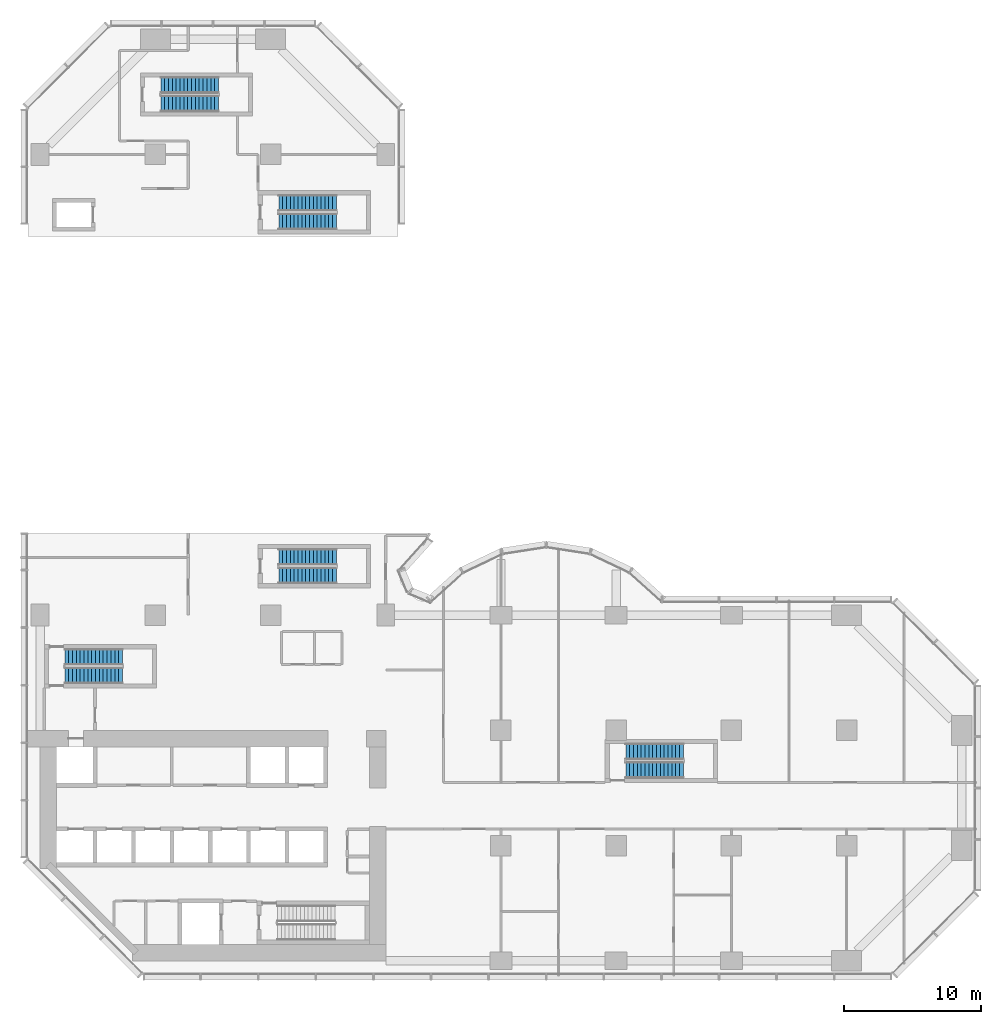
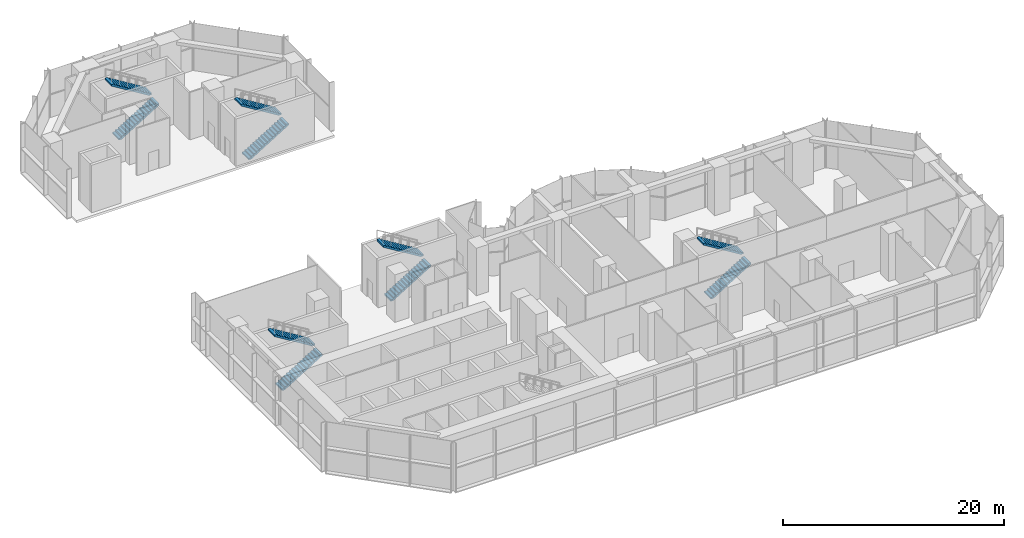
# One storey, part 13 of 16: 10 stair flights, 5 elements without a shape of their own.
"""IFC4 building model written with IfcOpenShell, lengths in metres."""

from ifc_helpers import new_model, si_unit, direction, frame, origin, place, context, subcontext, project, spatial, polyline, outline, extrude, material, type_object, element, aggregate, save


model = new_model("IFC4")

# Units and contexts
model_context = context("Model", 3, precision=1e-05, world=origin(), true_north=direction((0.0, 1.0)))
body_context = subcontext(model_context, "Body", "Model", "MODEL_VIEW")
ifc_project = project(units=[si_unit("LENGTHUNIT", "METRE"), si_unit("AREAUNIT", "SQUARE_METRE"), si_unit("VOLUMEUNIT", "CUBIC_METRE"), si_unit("PLANEANGLEUNIT", "RADIAN"), si_unit("MASSUNIT", "GRAM", prefix="KILO")], contexts=[model_context])

# Site, building, storey
site_placement = place(None, origin())
site = spatial("IfcSite", under=ifc_project, at=site_placement, CompositionType="ELEMENT")
building_placement = place(site_placement, origin())
building = spatial("IfcBuilding", under=site, at=building_placement, Name="Brevane Broadcast Tower", CompositionType="ELEMENT")
storey_placement = place(building_placement, frame((0.0, 0.0, 7.0)))
storey = spatial("IfcBuildingStorey", under=building, at=storey_placement, Name="L01", CompositionType="ELEMENT", Elevation=7.0)

# Stair, stair flights
ifc_material = material(Name="Concrete C50/60", Category="concrete")
stair_type = type_object("IfcStairType", Name="Exit stair 32 risers", PredefinedType="HALF_TURN_STAIR", material=ifc_material)
stair_1_placement = place(storey_placement, origin())
stair_1 = element("IfcStair", 1, at=stair_1_placement, inside=storey, type_object=stair_type, Name="L01 Exit stair ST-1", PredefinedType="HALF_TURN_STAIR")
stair_flight_type = type_object("IfcStairFlightType", Name="Exit stair flight 32 risers", PredefinedType="STRAIGHT", material=ifc_material)
stair_flight_1_placement = place(storey_placement, frame((1.800048828125, 20.800048828125, 0.0), z_axis=(0.0, 0.0, 1.0), x_axis=(1.0, 0.0, 0.0)))
stair_flight_1 = element("IfcStairFlight", 2, at=stair_flight_1_placement, type_object=stair_flight_type, Name="ST-1 flight 1", NumberOfRisers=16, NumberOfTreads=15, PredefinedType="STRAIGHT", RiserHeight=0.171875, TreadLength=0.28, context=body_context, shape_type="SweptSolid", body=[
    extrude(outline(polyline([(0.0, 0.0), (0.0, 0.171875), (0.280029296875, 0.171875), (0.280029296875, 0.34375), (0.56005859375, 0.34375), (0.56005859375, 0.515625), (0.840087890625, 0.515625), (0.840087890625, 0.6875), (1.1201171875, 0.6875), (1.1201171875, 0.859375), (1.39990234375, 0.859375), (1.39990234375, 1.03125), (1.679931640625, 1.03125), (1.679931640625, 1.203125), (1.9599609375, 1.203125), (1.9599609375, 1.375), (2.239990234375, 1.375), (2.239990234375, 1.546875), (2.52001953125, 1.546875), (2.52001953125, 1.71875), (2.800048828125, 1.71875), (2.800048828125, 1.890625), (3.080078125, 1.890625), (3.080078125, 2.0625), (3.360107421875, 2.0625), (3.360107421875, 2.234375), (3.639892578125, 2.234375), (3.639892578125, 2.40625), (3.919921875, 2.40625), (3.919921875, 2.578125), (4.199951171875, 2.578125), (4.199951171875, 2.75), (4.199951171875, 2.40234375), (0.28662109375, 0.0), (0.0, 0.0)])), frame((0.0, 0.60009765625, 0.0), z_axis=(0.0, -1.0, 0.0), x_axis=(1.0, 0.0, 0.0)), (0.0, 0.0, 1.0), 1.199951171875),
])
stair_flight_2_placement = place(storey_placement, frame((6.0, 22.14990234375, 2.75), z_axis=(0.0, 0.0, 1.0), x_axis=(-1.0, 0.0, 0.0)))
stair_flight_2 = element("IfcStairFlight", 3, at=stair_flight_2_placement, type_object=stair_flight_type, Name="ST-1 flight 2", NumberOfRisers=16, NumberOfTreads=15, PredefinedType="STRAIGHT", RiserHeight=0.171875, TreadLength=0.28, context=body_context, shape_type="SweptSolid", body=[
    extrude(outline(polyline([(0.0, 0.0), (0.0, 0.171875), (0.280029296875, 0.171875), (0.280029296875, 0.34375), (0.56005859375, 0.34375), (0.56005859375, 0.515625), (0.840087890625, 0.515625), (0.840087890625, 0.6875), (1.1201171875, 0.6875), (1.1201171875, 0.859375), (1.39990234375, 0.859375), (1.39990234375, 1.03125), (1.679931640625, 1.03125), (1.679931640625, 1.203125), (1.9599609375, 1.203125), (1.9599609375, 1.375), (2.239990234375, 1.375), (2.239990234375, 1.546875), (2.52001953125, 1.546875), (2.52001953125, 1.71875), (2.800048828125, 1.71875), (2.800048828125, 1.890625), (3.080078125, 1.890625), (3.080078125, 2.0625), (3.360107421875, 2.0625), (3.360107421875, 2.234375), (3.639892578125, 2.234375), (3.639892578125, 2.40625), (3.919921875, 2.40625), (3.919921875, 2.578125), (4.199951171875, 2.578125), (4.199951171875, 2.75), (4.199951171875, 2.40234375), (0.28662109375, 0.0), (0.0, 0.0)])), frame((0.0, 0.60009765625, 0.0), z_axis=(0.0, -1.0, 0.0), x_axis=(1.0, 0.0, 0.0)), (0.0, 0.0, 1.0), 1.199951171875),
])
aggregate(stair_1, [stair_flight_1, stair_flight_2])

stair_2_placement = place(storey_placement, origin())
stair_2 = element("IfcStair", 4, at=stair_2_placement, inside=storey, type_object=stair_type, Name="L01 Exit stair ST-3", PredefinedType="HALF_TURN_STAIR")
stair_flight_3_placement = place(storey_placement, frame((17.39990234375, 28.10009765625, 0.0), z_axis=(0.0, 0.0, 1.0), x_axis=(1.0, 0.0, 0.0)))
stair_flight_3 = element("IfcStairFlight", 5, at=stair_flight_3_placement, type_object=stair_flight_type, Name="ST-3 flight 1", NumberOfRisers=16, NumberOfTreads=15, PredefinedType="STRAIGHT", RiserHeight=0.171875, TreadLength=0.28, context=body_context, shape_type="SweptSolid", body=[
    extrude(outline(polyline([(0.0, 0.0), (0.0, 0.171875), (0.280029296875, 0.171875), (0.280029296875, 0.34375), (0.56005859375, 0.34375), (0.56005859375, 0.515625), (0.840087890625, 0.515625), (0.840087890625, 0.6875), (1.1201171875, 0.6875), (1.1201171875, 0.859375), (1.39990234375, 0.859375), (1.39990234375, 1.03125), (1.679931640625, 1.03125), (1.679931640625, 1.203125), (1.9599609375, 1.203125), (1.9599609375, 1.375), (2.239990234375, 1.375), (2.239990234375, 1.546875), (2.52001953125, 1.546875), (2.52001953125, 1.71875), (2.800048828125, 1.71875), (2.800048828125, 1.890625), (3.080078125, 1.890625), (3.080078125, 2.0625), (3.360107421875, 2.0625), (3.360107421875, 2.234375), (3.639892578125, 2.234375), (3.639892578125, 2.40625), (3.919921875, 2.40625), (3.919921875, 2.578125), (4.199951171875, 2.578125), (4.199951171875, 2.75), (4.199951171875, 2.40234375), (0.28662109375, 0.0), (0.0, 0.0)])), frame((0.0, 0.60009765625, 0.0), z_axis=(0.0, -1.0, 0.0), x_axis=(1.0, 0.0, 0.0)), (0.0, 0.0, 1.0), 1.199951171875),
])
stair_flight_4_placement = place(storey_placement, frame((21.60009765625, 29.449951171875, 2.75), z_axis=(0.0, 0.0, 1.0), x_axis=(-1.0, 0.0, 0.0)))
stair_flight_4 = element("IfcStairFlight", 6, at=stair_flight_4_placement, type_object=stair_flight_type, Name="ST-3 flight 2", NumberOfRisers=16, NumberOfTreads=15, PredefinedType="STRAIGHT", RiserHeight=0.171875, TreadLength=0.28, context=body_context, shape_type="SweptSolid", body=[
    extrude(outline(polyline([(0.0, 0.0), (0.0, 0.171875), (0.280029296875, 0.171875), (0.280029296875, 0.34375), (0.56005859375, 0.34375), (0.56005859375, 0.515625), (0.840087890625, 0.515625), (0.840087890625, 0.6875), (1.1201171875, 0.6875), (1.1201171875, 0.859375), (1.39990234375, 0.859375), (1.39990234375, 1.03125), (1.679931640625, 1.03125), (1.679931640625, 1.203125), (1.9599609375, 1.203125), (1.9599609375, 1.375), (2.239990234375, 1.375), (2.239990234375, 1.546875), (2.52001953125, 1.546875), (2.52001953125, 1.71875), (2.800048828125, 1.71875), (2.800048828125, 1.890625), (3.080078125, 1.890625), (3.080078125, 2.0625), (3.360107421875, 2.0625), (3.360107421875, 2.234375), (3.639892578125, 2.234375), (3.639892578125, 2.40625), (3.919921875, 2.40625), (3.919921875, 2.578125), (4.199951171875, 2.578125), (4.199951171875, 2.75), (4.199951171875, 2.40234375), (0.28662109375, 0.0), (0.0, 0.0)])), frame((0.0, 0.60009765625, 0.0), z_axis=(0.0, -1.0, 0.0), x_axis=(1.0, 0.0, 0.0)), (0.0, 0.0, 1.0), 1.199951171875),
])
aggregate(stair_2, [stair_flight_3, stair_flight_4])

stair_3_placement = place(storey_placement, origin())
stair_3 = element("IfcStair", 7, at=stair_3_placement, inside=storey, type_object=stair_type, Name="L01 Exit stair ST-4", PredefinedType="HALF_TURN_STAIR")
stair_flight_5_placement = place(storey_placement, frame((42.699951171875, 13.89990234375, 0.0), z_axis=(0.0, 0.0, 1.0), x_axis=(1.0, 0.0, 0.0)))
stair_flight_5 = element("IfcStairFlight", 8, at=stair_flight_5_placement, type_object=stair_flight_type, Name="ST-4 flight 1", NumberOfRisers=16, NumberOfTreads=15, PredefinedType="STRAIGHT", RiserHeight=0.171875, TreadLength=0.28, context=body_context, shape_type="SweptSolid", body=[
    extrude(outline(polyline([(0.0, 0.0), (0.0, 0.171875), (0.280029296875, 0.171875), (0.280029296875, 0.34375), (0.56005859375, 0.34375), (0.56005859375, 0.515625), (0.840087890625, 0.515625), (0.840087890625, 0.6875), (1.1201171875, 0.6875), (1.1201171875, 0.859375), (1.39990234375, 0.859375), (1.39990234375, 1.03125), (1.679931640625, 1.03125), (1.679931640625, 1.203125), (1.9599609375, 1.203125), (1.9599609375, 1.375), (2.239990234375, 1.375), (2.239990234375, 1.546875), (2.52001953125, 1.546875), (2.52001953125, 1.71875), (2.800048828125, 1.71875), (2.800048828125, 1.890625), (3.080078125, 1.890625), (3.080078125, 2.0625), (3.360107421875, 2.0625), (3.360107421875, 2.234375), (3.639892578125, 2.234375), (3.639892578125, 2.40625), (3.919921875, 2.40625), (3.919921875, 2.578125), (4.199951171875, 2.578125), (4.199951171875, 2.75), (4.199951171875, 2.40234375), (0.28662109375, 0.0), (0.0, 0.0)])), frame((0.0, 0.60009765625, 0.0), z_axis=(0.0, -1.0, 0.0), x_axis=(1.0, 0.0, 0.0)), (0.0, 0.0, 1.0), 1.199951171875),
])
stair_flight_6_placement = place(storey_placement, frame((46.89990234375, 15.25, 2.75), z_axis=(0.0, 0.0, 1.0), x_axis=(-1.0, 0.0, 0.0)))
stair_flight_6 = element("IfcStairFlight", 9, at=stair_flight_6_placement, type_object=stair_flight_type, Name="ST-4 flight 2", NumberOfRisers=16, NumberOfTreads=15, PredefinedType="STRAIGHT", RiserHeight=0.171875, TreadLength=0.28, context=body_context, shape_type="SweptSolid", body=[
    extrude(outline(polyline([(0.0, 0.0), (0.0, 0.171875), (0.280029296875, 0.171875), (0.280029296875, 0.34375), (0.56005859375, 0.34375), (0.56005859375, 0.515625), (0.840087890625, 0.515625), (0.840087890625, 0.6875), (1.1201171875, 0.6875), (1.1201171875, 0.859375), (1.39990234375, 0.859375), (1.39990234375, 1.03125), (1.679931640625, 1.03125), (1.679931640625, 1.203125), (1.9599609375, 1.203125), (1.9599609375, 1.375), (2.239990234375, 1.375), (2.239990234375, 1.546875), (2.52001953125, 1.546875), (2.52001953125, 1.71875), (2.800048828125, 1.71875), (2.800048828125, 1.890625), (3.080078125, 1.890625), (3.080078125, 2.0625), (3.360107421875, 2.0625), (3.360107421875, 2.234375), (3.639892578125, 2.234375), (3.639892578125, 2.40625), (3.919921875, 2.40625), (3.919921875, 2.578125), (4.199951171875, 2.578125), (4.199951171875, 2.75), (4.199951171875, 2.40234375), (0.28662109375, 0.0), (0.0, 0.0)])), frame((0.0, 0.60009765625, 0.0), z_axis=(0.0, -1.0, 0.0), x_axis=(1.0, 0.0, 0.0)), (0.0, 0.0, 1.0), 1.199951171875),
])
aggregate(stair_3, [stair_flight_5, stair_flight_6])

stair_4_placement = place(storey_placement, origin())
stair_4 = element("IfcStair", 10, at=stair_4_placement, inside=storey, type_object=stair_type, Name="L01 Exit stair ST-5", PredefinedType="HALF_TURN_STAIR")
stair_flight_7_placement = place(storey_placement, frame((17.39990234375, 53.89990234375, 0.0), z_axis=(0.0, 0.0, 1.0), x_axis=(1.0, 0.0, 0.0)))
stair_flight_7 = element("IfcStairFlight", 11, at=stair_flight_7_placement, type_object=stair_flight_type, Name="ST-5 flight 1", NumberOfRisers=16, NumberOfTreads=15, PredefinedType="STRAIGHT", RiserHeight=0.171875, TreadLength=0.28, context=body_context, shape_type="SweptSolid", body=[
    extrude(outline(polyline([(0.0, 0.0), (0.0, 0.171875), (0.280029296875, 0.171875), (0.280029296875, 0.34375), (0.56005859375, 0.34375), (0.56005859375, 0.515625), (0.840087890625, 0.515625), (0.840087890625, 0.6875), (1.1201171875, 0.6875), (1.1201171875, 0.859375), (1.39990234375, 0.859375), (1.39990234375, 1.03125), (1.679931640625, 1.03125), (1.679931640625, 1.203125), (1.9599609375, 1.203125), (1.9599609375, 1.375), (2.239990234375, 1.375), (2.239990234375, 1.546875), (2.52001953125, 1.546875), (2.52001953125, 1.71875), (2.800048828125, 1.71875), (2.800048828125, 1.890625), (3.080078125, 1.890625), (3.080078125, 2.0625), (3.360107421875, 2.0625), (3.360107421875, 2.234375), (3.639892578125, 2.234375), (3.639892578125, 2.40625), (3.919921875, 2.40625), (3.919921875, 2.578125), (4.199951171875, 2.578125), (4.199951171875, 2.75), (4.199951171875, 2.40234375), (0.28662109375, 0.0), (0.0, 0.0)])), frame((0.0, 0.60009765625, 0.0), z_axis=(0.0, -1.0, 0.0), x_axis=(1.0, 0.0, 0.0)), (0.0, 0.0, 1.0), 1.199951171875),
])
stair_flight_8_placement = place(storey_placement, frame((21.60009765625, 55.25, 2.75), z_axis=(0.0, 0.0, 1.0), x_axis=(-1.0, 0.0, 0.0)))
stair_flight_8 = element("IfcStairFlight", 12, at=stair_flight_8_placement, type_object=stair_flight_type, Name="ST-5 flight 2", NumberOfRisers=16, NumberOfTreads=15, PredefinedType="STRAIGHT", RiserHeight=0.171875, TreadLength=0.28, context=body_context, shape_type="SweptSolid", body=[
    extrude(outline(polyline([(0.0, 0.0), (0.0, 0.171875), (0.280029296875, 0.171875), (0.280029296875, 0.34375), (0.56005859375, 0.34375), (0.56005859375, 0.515625), (0.840087890625, 0.515625), (0.840087890625, 0.6875), (1.1201171875, 0.6875), (1.1201171875, 0.859375), (1.39990234375, 0.859375), (1.39990234375, 1.03125), (1.679931640625, 1.03125), (1.679931640625, 1.203125), (1.9599609375, 1.203125), (1.9599609375, 1.375), (2.239990234375, 1.375), (2.239990234375, 1.546875), (2.52001953125, 1.546875), (2.52001953125, 1.71875), (2.800048828125, 1.71875), (2.800048828125, 1.890625), (3.080078125, 1.890625), (3.080078125, 2.0625), (3.360107421875, 2.0625), (3.360107421875, 2.234375), (3.639892578125, 2.234375), (3.639892578125, 2.40625), (3.919921875, 2.40625), (3.919921875, 2.578125), (4.199951171875, 2.578125), (4.199951171875, 2.75), (4.199951171875, 2.40234375), (0.28662109375, 0.0), (0.0, 0.0)])), frame((0.0, 0.60009765625, 0.0), z_axis=(0.0, -1.0, 0.0), x_axis=(1.0, 0.0, 0.0)), (0.0, 0.0, 1.0), 1.199951171875),
])
aggregate(stair_4, [stair_flight_7, stair_flight_8])

stair_5_placement = place(storey_placement, origin())
stair_5 = element("IfcStair", 13, at=stair_5_placement, inside=storey, type_object=stair_type, Name="L01 Exit stair ST-6", PredefinedType="HALF_TURN_STAIR")
stair_flight_9_placement = place(storey_placement, frame((8.800048828125, 62.5, 0.0), z_axis=(0.0, 0.0, 1.0), x_axis=(1.0, 0.0, 0.0)))
stair_flight_9 = element("IfcStairFlight", 14, at=stair_flight_9_placement, type_object=stair_flight_type, Name="ST-6 flight 1", NumberOfRisers=16, NumberOfTreads=15, PredefinedType="STRAIGHT", RiserHeight=0.171875, TreadLength=0.28, context=body_context, shape_type="SweptSolid", body=[
    extrude(outline(polyline([(0.0, 0.0), (0.0, 0.171875), (0.280029296875, 0.171875), (0.280029296875, 0.34375), (0.56005859375, 0.34375), (0.56005859375, 0.515625), (0.840087890625, 0.515625), (0.840087890625, 0.6875), (1.1201171875, 0.6875), (1.1201171875, 0.859375), (1.39990234375, 0.859375), (1.39990234375, 1.03125), (1.679931640625, 1.03125), (1.679931640625, 1.203125), (1.9599609375, 1.203125), (1.9599609375, 1.375), (2.239990234375, 1.375), (2.239990234375, 1.546875), (2.52001953125, 1.546875), (2.52001953125, 1.71875), (2.800048828125, 1.71875), (2.800048828125, 1.890625), (3.080078125, 1.890625), (3.080078125, 2.0625), (3.360107421875, 2.0625), (3.360107421875, 2.234375), (3.639892578125, 2.234375), (3.639892578125, 2.40625), (3.919921875, 2.40625), (3.919921875, 2.578125), (4.199951171875, 2.578125), (4.199951171875, 2.75), (4.199951171875, 2.40234375), (0.28662109375, 0.0), (0.0, 0.0)])), frame((0.0, 0.60009765625, 0.0), z_axis=(0.0, -1.0, 0.0), x_axis=(1.0, 0.0, 0.0)), (0.0, 0.0, 1.0), 1.199951171875),
])
stair_flight_10_placement = place(storey_placement, frame((13.0, 63.85009765625, 2.75), z_axis=(0.0, 0.0, 1.0), x_axis=(-1.0, 0.0, 0.0)))
stair_flight_10 = element("IfcStairFlight", 15, at=stair_flight_10_placement, type_object=stair_flight_type, Name="ST-6 flight 2", NumberOfRisers=16, NumberOfTreads=15, PredefinedType="STRAIGHT", RiserHeight=0.171875, TreadLength=0.28, context=body_context, shape_type="SweptSolid", body=[
    extrude(outline(polyline([(0.0, 0.0), (0.0, 0.171875), (0.280029296875, 0.171875), (0.280029296875, 0.34375), (0.56005859375, 0.34375), (0.56005859375, 0.515625), (0.840087890625, 0.515625), (0.840087890625, 0.6875), (1.1201171875, 0.6875), (1.1201171875, 0.859375), (1.39990234375, 0.859375), (1.39990234375, 1.03125), (1.679931640625, 1.03125), (1.679931640625, 1.203125), (1.9599609375, 1.203125), (1.9599609375, 1.375), (2.239990234375, 1.375), (2.239990234375, 1.546875), (2.52001953125, 1.546875), (2.52001953125, 1.71875), (2.800048828125, 1.71875), (2.800048828125, 1.890625), (3.080078125, 1.890625), (3.080078125, 2.0625), (3.360107421875, 2.0625), (3.360107421875, 2.234375), (3.639892578125, 2.234375), (3.639892578125, 2.40625), (3.919921875, 2.40625), (3.919921875, 2.578125), (4.199951171875, 2.578125), (4.199951171875, 2.75), (4.199951171875, 2.40234375), (0.28662109375, 0.0), (0.0, 0.0)])), frame((0.0, 0.60009765625, 0.0), z_axis=(0.0, -1.0, 0.0), x_axis=(1.0, 0.0, 0.0)), (0.0, 0.0, 1.0), 1.199951171875),
])
aggregate(stair_5, [stair_flight_9, stair_flight_10])

save(model, "model.ifc")
